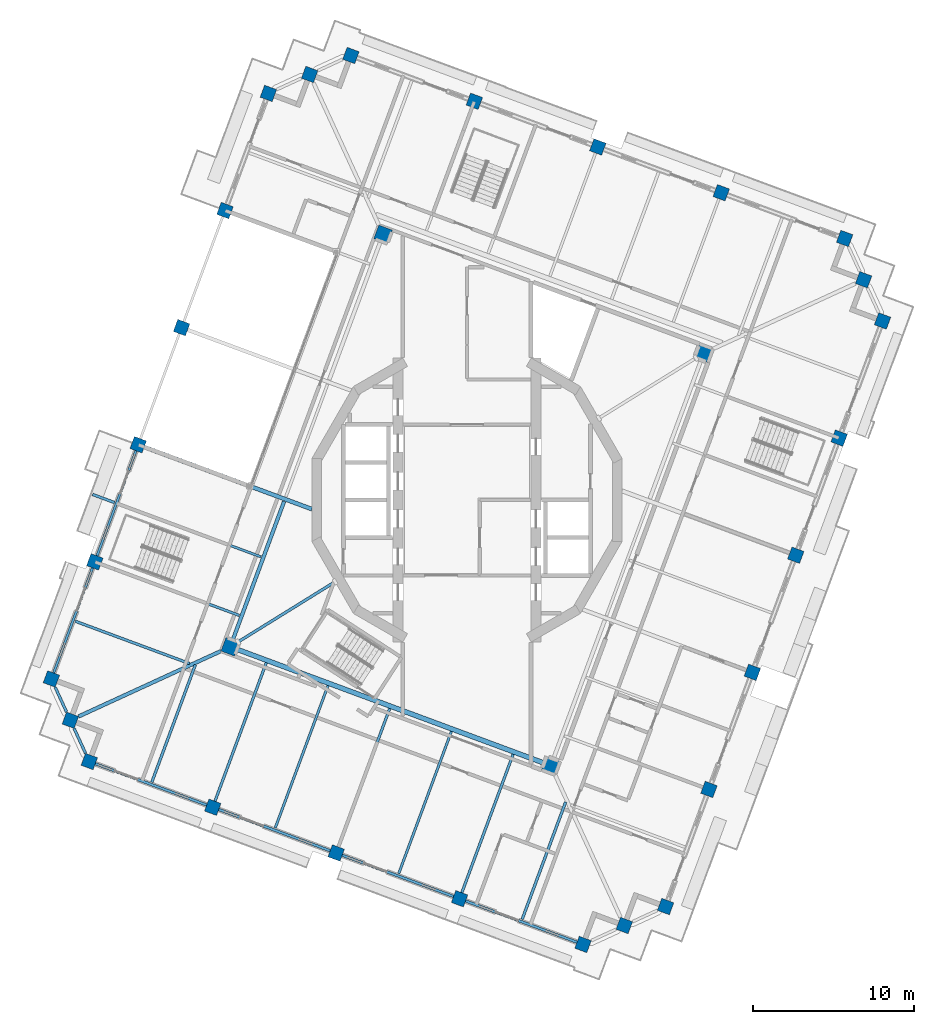
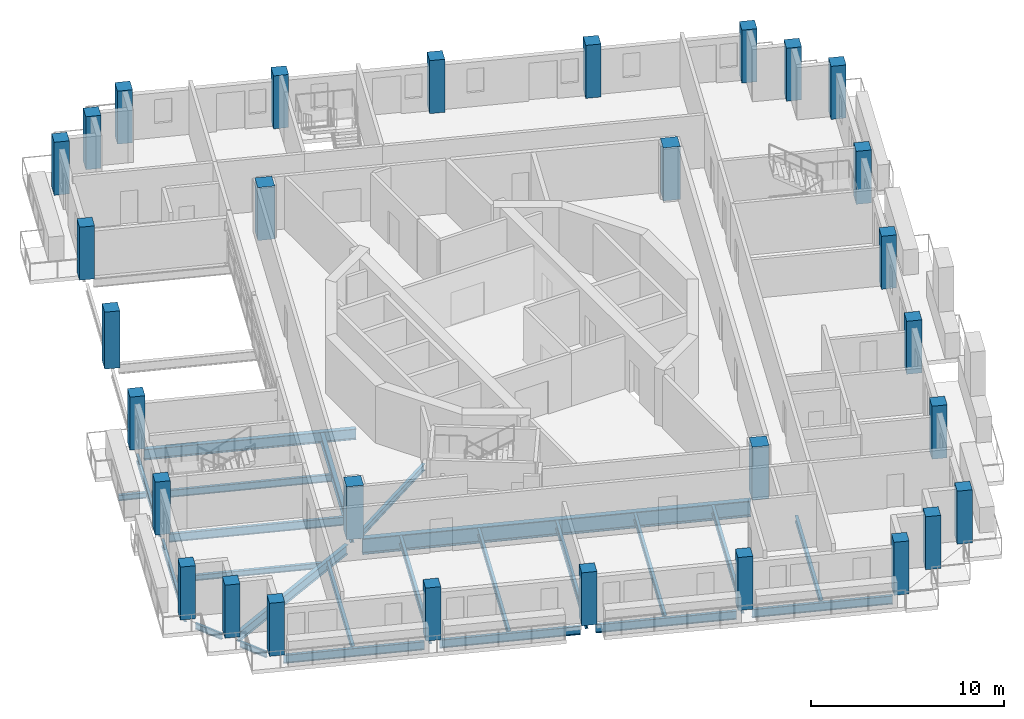
# One storey, part 1 of 20: 30 columns, 24 beams.
"""IFC4 building model written with IfcOpenShell, lengths in metres."""

from ifc_helpers import new_model, si_unit, direction, frame, origin, origin_2d, place, context, subcontext, project, spatial, rectangle, i_section, extrude, material, material_profile, profile_set, type_object, element, save


model = new_model("IFC4")

# Units and contexts
model_context = context("Model", 3, precision=1e-05, world=origin(), true_north=direction((0.0, 1.0)))
body_context = subcontext(model_context, "Body", "Model", "MODEL_VIEW")
ifc_project = project(units=[si_unit("LENGTHUNIT", "METRE"), si_unit("AREAUNIT", "SQUARE_METRE"), si_unit("VOLUMEUNIT", "CUBIC_METRE"), si_unit("PLANEANGLEUNIT", "RADIAN"), si_unit("MASSUNIT", "GRAM", prefix="KILO")], contexts=[model_context])

# Site, building, storey
site_placement = place(None, origin())
site = spatial("IfcSite", under=ifc_project, at=site_placement, CompositionType="ELEMENT")
building_placement = place(site_placement, origin())
building = spatial("IfcBuilding", under=site, at=building_placement, Name="Cantera Rosa Tower", CompositionType="ELEMENT")
storey_placement = place(building_placement, frame((0.0, 0.0, 309.699951171875)))
storey = spatial("IfcBuildingStorey", under=building, at=storey_placement, Name="L68", CompositionType="ELEMENT", Elevation=309.699951171875)

# Columns
ifc_material_1 = material(Name="Concrete C50/60", Category="concrete")
ifc_material_profile_1 = material_profile(ifc_material_1, rectangle(XDim=0.800048828125, YDim=0.800048828125, at=origin_2d()), Name="RC COLUMN RC800X800 C50/60")
ifc_profile_set_1 = profile_set([ifc_material_profile_1], Name="Concrete C50/60")
column_type_1 = type_object("IfcColumnType", Name="RC COLUMN RC800X800 C50/60", PredefinedType="COLUMN", material=ifc_profile_set_1)
for number, where, z_axis, x_axis, name in (
    (1, (23.526611328125, 16.2900390625, 0.0), (0.0, 0.0, 1.0), (0.347481234489, 0.937686936924, 0.0), "C-Z6-01 L68"),
    (2, (15.83740234375, 19.139404296875, 0.0), (0.0, 0.0, 1.0), (0.347481234489, 0.937686936924, 0.0), "C-Z6-02 L68"),
    (3, (8.1484375, 21.98876953125, 0.0), (0.0, 0.0, 1.0), (0.347481234489, 0.937686936924, 0.0), "C-Z6-03 L68"),
    (4, (0.45947265625, 24.838134765625, 0.0), (0.0, 0.0, 1.0), (0.347481234489, 0.937686936924, 0.0), "C-Z6-04 L68"),
    (5, (-7.229736328125, 27.6875, 0.0), (0.0, 0.0, 1.0), (0.347481234489, 0.937686936924, 0.0), "C-Z6-05 L68"),
    (6, (-9.800048828125, 26.507080078125, 0.0), (0.0, 0.0, 1.0), (0.347481234489, 0.937686936924, 0.0), "C-Z6-06 L68"),
    (7, (-12.370361328125, 25.32666015625, 0.0), (0.0, 0.0, 1.0), (0.347481234489, 0.937686936924, 0.0), "C-Z6-07 L68"),
    (8, (-15.07373046875, 18.031494140625, 0.0), (0.0, 0.0, 1.0), (0.347481234489, 0.937686936924, 0.0), "C-Z6-08 L68"),
):
    element("IfcColumn", number, at=place(storey_placement, frame(where, z_axis=z_axis, x_axis=x_axis)), inside=storey, type_object=column_type_1, Name=name, PredefinedType="COLUMN", context=body_context, shape_type="SweptSolid", body=[
        extrude(rectangle(XDim=0.800048828125, YDim=0.800048828125, at=origin_2d()), origin(), (0.0, 0.0, 1.0), 3.35009765625),
    ])
column_placement = place(storey_placement, frame((-17.777099609375, 10.736328125, -0.25), z_axis=(0.0, 0.0, 1.0), x_axis=(0.347481234489, 0.937686936924, 0.0)))
element("IfcColumn", 9, at=column_placement, inside=storey, type_object=column_type_1, Name="C-Z6-09 L68", PredefinedType="COLUMN", context=body_context, shape_type="SweptSolid", body=[
    extrude(rectangle(XDim=0.800048828125, YDim=0.800048828125, at=origin_2d()), origin(), (0.0, 0.0, 1.0), 3.60009765625),
])
for number, where, z_axis, x_axis, name in (
    (10, (-20.48046875, 3.44091796875, 0.0), (0.0, 0.0, 1.0), (0.347481234489, 0.937686936924, 0.0), "C-Z6-10 L68"),
    (11, (-23.183837890625, -3.854248046875, 0.0), (0.0, 0.0, 1.0), (0.347481234489, 0.937686936924, 0.0), "C-Z6-11 L68"),
    (12, (-25.88720703125, -11.1494140625, 0.0), (0.0, 0.0, 1.0), (0.347481234489, 0.937686936924, 0.0), "C-Z6-12 L68"),
    (13, (-24.70703125, -13.7197265625, 0.0), (0.0, 0.0, 1.0), (0.347481234489, 0.937686936924, 0.0), "C-Z6-13 L68"),
    (14, (-23.526611328125, -16.2900390625, 0.0), (0.0, 0.0, 1.0), (0.347481234489, 0.937686936924, 0.0), "C-Z6-14 L68"),
    (15, (-15.83740234375, -19.139404296875, 0.0), (0.0, 0.0, 1.0), (0.347481234489, 0.937686936924, 0.0), "C-Z6-15 L68"),
    (16, (-8.1484375, -21.98876953125, 0.0), (0.0, 0.0, 1.0), (0.347481234489, 0.937686936924, 0.0), "C-Z6-16 L68"),
    (17, (-0.45947265625, -24.838134765625, 0.0), (0.0, 0.0, 1.0), (0.347481234489, 0.937686936924, 0.0), "C-Z6-17 L68"),
    (18, (7.229736328125, -27.6875, 0.0), (0.0, 0.0, 1.0), (0.347481234489, 0.937686936924, 0.0), "C-Z6-18 L68"),
    (19, (9.800048828125, -26.507080078125, 0.0), (0.0, 0.0, 1.0), (0.347481234489, 0.937686936924, 0.0), "C-Z6-19 L68"),
    (20, (12.370361328125, -25.32666015625, 0.0), (0.0, 0.0, 1.0), (0.347481234489, 0.937686936924, 0.0), "C-Z6-20 L68"),
    (21, (15.07373046875, -18.031494140625, 0.0), (0.0, 0.0, 1.0), (0.347481234489, 0.937686936924, 0.0), "C-Z6-21 L68"),
    (22, (17.777099609375, -10.736328125, 0.0), (0.0, 0.0, 1.0), (0.347481234489, 0.937686936924, 0.0), "C-Z6-22 L68"),
    (23, (20.48046875, -3.44091796875, 0.0), (0.0, 0.0, 1.0), (0.347481234489, 0.937686936924, 0.0), "C-Z6-23 L68"),
    (24, (23.183837890625, 3.854248046875, 0.0), (0.0, 0.0, 1.0), (0.347481234489, 0.937686936924, 0.0), "C-Z6-24 L68"),
    (25, (25.88720703125, 11.1494140625, 0.0), (0.0, 0.0, 1.0), (0.347481234489, 0.937686936924, 0.0), "C-Z6-25 L68"),
    (26, (24.70703125, 13.7197265625, 0.0), (0.0, 0.0, 1.0), (0.347481234489, 0.937686936924, 0.0), "C-Z6-26 L68"),
):
    element("IfcColumn", number, at=place(storey_placement, frame(where, z_axis=z_axis, x_axis=x_axis)), inside=storey, type_object=column_type_1, Name=name, PredefinedType="COLUMN", context=body_context, shape_type="SweptSolid", body=[
        extrude(rectangle(XDim=0.800048828125, YDim=0.800048828125, at=origin_2d()), origin(), (0.0, 0.0, 1.0), 3.35009765625),
    ])
ifc_material_2 = material(Name="Concrete C50/60", Category="concrete")
ifc_material_profile_2 = material_profile(ifc_material_2, rectangle(XDim=0.89990234375, YDim=0.89990234375, at=origin_2d()), Name="RC RING COLUMN RC900X900 C50/60")
ifc_profile_set_2 = profile_set([ifc_material_profile_2], Name="Concrete C50/60")
column_type_2 = type_object("IfcColumnType", Name="RC RING COLUMN RC900X900 C50/60", PredefinedType="COLUMN", material=ifc_profile_set_2)
for number, where, z_axis, x_axis, name in (
    (27, (-5.225830078125, 16.546875, 0.0), (0.0, 0.0, 1.0), (0.347481234489, 0.937686936924, 0.0), "CI-Z6-1 L68"),
    (28, (-14.746826171875, -9.145751953125, 0.0), (0.0, 0.0, 1.0), (0.347481234489, 0.937686936924, 0.0), "CI-Z6-2 L68"),
    (29, (5.225830078125, -16.546875, 0.0), (0.0, 0.0, 1.0), (0.347481234489, 0.937686936924, 0.0), "CI-Z6-3 L68"),
    (30, (14.746826171875, 9.145751953125, 0.0), (0.0, 0.0, 1.0), (0.347481234489, 0.937686936924, 0.0), "CI-Z6-4 L68"),
):
    element("IfcColumn", number, at=place(storey_placement, frame(where, z_axis=z_axis, x_axis=x_axis)), inside=storey, type_object=column_type_2, Name=name, PredefinedType="COLUMN", context=body_context, shape_type="SweptSolid", body=[
        extrude(rectangle(XDim=0.89990234375, YDim=0.89990234375, at=origin_2d()), origin(), (0.0, 0.0, 1.0), 3.35009765625),
    ])

# Beams
ifc_material_3 = material(Name="Steel ASTM A992 (Fy 345 MPa)", Category="steel")
ifc_material_profile_3 = material_profile(ifc_material_3, i_section(OverallWidth=0.302001953125, OverallDepth=1.010009765625, WebThickness=0.02099609375, FlangeThickness=0.0400390625, FilletRadius=0.030029296875, at=origin_2d()), Name="W1000X350")
ifc_profile_set_3 = profile_set([ifc_material_profile_3], Name="Steel ASTM A992 (Fy 345 MPa)")
beam_type_1 = type_object("IfcBeamType", Name="STEEL BEAM W1000X350", PredefinedType="BEAM", material=ifc_profile_set_3)
beam_1_placement = place(storey_placement, frame((4.803955078125, -16.390625, -0.7548828125), z_axis=(-0.937687392162, 0.347480006017, 0.0), x_axis=(-0.347480006017, -0.937687392162, 0.0)))
element("IfcBeam", 31, at=beam_1_placement, inside=storey, type_object=beam_type_1, Name="RB-Z6-08 L68", PredefinedType="BEAM", context=body_context, shape_type="SweptSolid", body=[
    extrude(i_section(OverallWidth=0.302001953125, OverallDepth=1.010009765625, WebThickness=0.02099609375, FlangeThickness=0.0400390625, FilletRadius=0.030029296875, at=origin_2d()), origin(), (0.0, 0.0, 1.0), 20.400146484375),
])
ifc_material_4 = material(Name="Steel ASTM A992 (Fy 345 MPa)", Category="steel")
ifc_material_profile_4 = material_profile(ifc_material_4, i_section(OverallWidth=0.177978515625, OverallDepth=0.406005859375, WebThickness=0.0078125, FlangeThickness=0.0126953125, FilletRadius=0.01025390625, at=origin_2d()), Name="W410X60")
ifc_profile_set_4 = profile_set([ifc_material_profile_4], Name="Steel ASTM A992 (Fy 345 MPa)")
beam_type_2 = type_object("IfcBeamType", Name="STEEL BEAM W410X60", PredefinedType="BEAM", material=ifc_profile_set_4)
beam_2_placement = place(storey_placement, frame((-14.262451171875, -8.84521484375, -0.452880859375), z_axis=(0.849840939707, 0.527039255841, 0.0), x_axis=(-0.527039255841, 0.849840939707, 0.0)))
element("IfcBeam", 32, at=beam_2_placement, inside=storey, type_object=beam_type_2, Name="PG-Z6-01 L68", PredefinedType="BEAM", context=body_context, shape_type="SweptSolid", body=[
    extrude(i_section(OverallWidth=0.177978515625, OverallDepth=0.406005859375, WebThickness=0.0078125, FlangeThickness=0.0126953125, FilletRadius=0.01025390625, at=origin_2d()), origin(), (0.0, 0.0, 1.0), 7.118408203125),
])
ifc_material_5 = material(Name="Steel ASTM A992 (Fy 345 MPa)", Category="steel")
ifc_material_profile_5 = material_profile(ifc_material_5, i_section(OverallWidth=0.166015625, OverallDepth=0.528076171875, WebThickness=0.009765625, FlangeThickness=0.013671875, FilletRadius=0.0126953125, at=origin_2d()), Name="W530X74")
ifc_profile_set_5 = profile_set([ifc_material_profile_5], Name="Steel ASTM A992 (Fy 345 MPa)")
beam_type_3 = type_object("IfcBeamType", Name="STEEL BEAM W530X74", PredefinedType="BEAM", material=ifc_profile_set_5)
for number, where, z_axis, x_axis, name in (
    (33, (-22.808837890625, -3.9931640625, -0.513916015625), (0.937688566, -0.347476838353, 0.0), (0.347476838353, 0.937688566, 0.0), "G-Z6-07 L68"),
    (34, (-15.698486328125, -18.764404296875, -0.513916015625), (0.347476838353, 0.937688566, 0.0), (-0.937688566, 0.347476838353, 0.0), "G-Z6-12 L68"),
    (35, (-8.009521484375, -21.61376953125, -0.513916015625), (0.34750017104, 0.937679919337, 0.0), (-0.937679919337, 0.34750017104, 0.0), "G-Z6-13 L68"),
    (36, (-0.3203125, -24.463134765625, -0.513916015625), (0.347476838353, 0.937688566, 0.0), (-0.937688566, 0.347476838353, 0.0), "G-Z6-14 L68"),
):
    element("IfcBeam", number, at=place(storey_placement, frame(where, z_axis=z_axis, x_axis=x_axis)), inside=storey, type_object=beam_type_3, Name=name, PredefinedType="BEAM", context=body_context, shape_type="SweptSolid", body=[
        extrude(i_section(OverallWidth=0.166015625, OverallDepth=0.528076171875, WebThickness=0.009765625, FlangeThickness=0.013671875, FilletRadius=0.0126953125, at=origin_2d()), origin(), (0.0, 0.0, 1.0), 9.199951171875),
    ])
ifc_material_6 = material(Name="Steel ASTM A992 (Fy 345 MPa)", Category="steel")
ifc_material_profile_6 = material_profile(ifc_material_6, i_section(OverallWidth=0.22802734375, OverallDepth=0.60205078125, WebThickness=0.010498046875, FlangeThickness=0.014892578125, FilletRadius=0.0126953125, at=origin_2d()), Name="W610X101")
ifc_profile_set_6 = profile_set([ifc_material_profile_6], Name="Steel ASTM A992 (Fy 345 MPa)")
beam_type_4 = type_object("IfcBeamType", Name="STEEL BEAM W610X101", PredefinedType="BEAM", material=ifc_profile_set_6)
beam_3_placement = place(storey_placement, frame((-24.19287109375, -13.483642578125, -0.551025390625), z_axis=(0.908747889595, 0.417345508131, 0.0), x_axis=(-0.417345508131, 0.908747889595, 0.0)))
element("IfcBeam", 37, at=beam_3_placement, inside=storey, type_object=beam_type_4, Name="CB-Z6-02 L68", PredefinedType="BEAM", context=body_context, shape_type="SweptSolid", body=[
    extrude(i_section(OverallWidth=0.22802734375, OverallDepth=0.60205078125, WebThickness=0.010498046875, FlangeThickness=0.014892578125, FilletRadius=0.0126953125, at=origin_2d()), origin(), (0.0, 0.0, 1.0), 9.758056640625),
])
beam_4_placement = place(storey_placement, frame((-14.590576171875, -8.7236328125, -0.551025390625), z_axis=(0.347498244979, 0.937680633125, 0.0), x_axis=(-0.937680633125, 0.347498244979, 0.0)))
element("IfcBeam", 38, at=beam_4_placement, inside=storey, type_object=beam_type_4, Name="RB-Z6-01 L68", PredefinedType="BEAM", context=body_context, shape_type="SweptSolid", body=[
    extrude(i_section(OverallWidth=0.22802734375, OverallDepth=0.60205078125, WebThickness=0.010498046875, FlangeThickness=0.014892578125, FilletRadius=0.0126953125, at=origin_2d()), origin(), (0.0, 0.0, 1.0), 9.2099609375),
])
ifc_material_7 = material(Name="Steel ASTM A992 (Fy 345 MPa)", Category="steel")
ifc_material_profile_7 = material_profile(ifc_material_7, i_section(OverallWidth=0.25390625, OverallDepth=0.677978515625, WebThickness=0.01171875, FlangeThickness=0.016357421875, FilletRadius=0.01513671875, at=origin_2d()), Name="W690X125")
ifc_profile_set_7 = profile_set([ifc_material_profile_7], Name="Steel ASTM A992 (Fy 345 MPa)")
beam_type_5 = type_object("IfcBeamType", Name="STEEL BEAM W690X125", PredefinedType="BEAM", material=ifc_profile_set_7)
beam_5_placement = place(storey_placement, frame((-20.10546875, 3.302001953125, -0.5888671875), z_axis=(0.937687416585, -0.347479940109, 0.0), x_axis=(0.347479940109, 0.937687416585, 0.0)))
element("IfcBeam", 39, at=beam_5_placement, inside=storey, type_object=beam_type_5, Name="G-Z6-06 L68", PredefinedType="BEAM", context=body_context, shape_type="SweptSolid", body=[
    extrude(i_section(OverallWidth=0.25390625, OverallDepth=0.677978515625, WebThickness=0.01171875, FlangeThickness=0.016357421875, FilletRadius=0.01513671875, at=origin_2d()), origin(), (0.0, 0.0, 1.0), 11.140380859375),
])
ifc_material_8 = material(Name="Steel ASTM A992 (Fy 345 MPa)", Category="steel")
ifc_material_profile_8 = material_profile(ifc_material_8, i_section(OverallWidth=0.1708984375, OverallDepth=0.35595703125, WebThickness=0.00732421875, FlangeThickness=0.01171875, FilletRadius=0.010009765625, at=origin_2d()), Name="W360X51")
ifc_profile_set_8 = profile_set([ifc_material_profile_8], Name="Steel ASTM A992 (Fy 345 MPa)")
beam_type_6 = type_object("IfcBeamType", Name="STEEL JOIST W360X51", PredefinedType="JOIST", material=ifc_profile_set_8)
beam_6_placement = place(storey_placement, frame((-24.39501953125, -7.553955078125, -0.427978515625), z_axis=(0.937686277131, -0.347483014951, 0.0), x_axis=(0.347483014951, 0.937686277131, 0.0)))
element("IfcBeam", 40, at=beam_6_placement, inside=storey, type_object=beam_type_6, Name="B-Z6-09 L68", PredefinedType="JOIST", context=body_context, shape_type="SweptSolid", body=[
    extrude(i_section(OverallWidth=0.1708984375, OverallDepth=0.35595703125, WebThickness=0.00732421875, FlangeThickness=0.01171875, FilletRadius=0.010009765625, at=origin_2d()), origin(), (0.0, 0.0, 1.0), 7.590087890625),
])
for number, where, z_axis, x_axis, name in (
    (41, (-19.6298828125, -17.573974609375, -0.427978515625), (0.347491728417, 0.937683048093, 0.0), (-0.937683048093, 0.347491728417, 0.0), "B-Z6-15 L68"),
    (42, (3.437255859375, -26.1220703125, -0.427978515625), (0.347491728417, 0.937683048093, 0.0), (-0.937683048093, 0.347491728417, 0.0), "B-Z6-18 L68"),
):
    element("IfcBeam", number, at=place(storey_placement, frame(where, z_axis=z_axis, x_axis=x_axis)), inside=storey, type_object=beam_type_6, Name=name, PredefinedType="JOIST", context=body_context, shape_type="SweptSolid", body=[
        extrude(i_section(OverallWidth=0.1708984375, OverallDepth=0.35595703125, WebThickness=0.00732421875, FlangeThickness=0.01171875, FilletRadius=0.010009765625, at=origin_2d()), origin(), (0.0, 0.0, 1.0), 7.800048828125),
    ])
beam_7_placement = place(storey_placement, frame((-21.9541015625, -0.161376953125, -0.427978515625), z_axis=(-0.937702386535, 0.347439540475, 0.0), x_axis=(-0.347439540475, -0.937702386535, 0.0)))
element("IfcBeam", 43, at=beam_7_placement, inside=storey, type_object=beam_type_6, Name="BS-Z6-01 L68", PredefinedType="JOIST", context=body_context, shape_type="SweptSolid", body=[
    extrude(i_section(OverallWidth=0.1708984375, OverallDepth=0.35595703125, WebThickness=0.00732421875, FlangeThickness=0.01171875, FilletRadius=0.010009765625, at=origin_2d()), origin(), (0.0, 0.0, 1.0), 1.4609375),
])
ifc_material_9 = material(Name="Steel ASTM A992 (Fy 345 MPa)", Category="steel")
ifc_material_profile_9 = material_profile(ifc_material_9, i_section(OverallWidth=0.154052734375, OverallDepth=0.4599609375, WebThickness=0.009033203125, FlangeThickness=0.015380859375, FilletRadius=0.01025390625, at=origin_2d()), Name="W460X68")
ifc_profile_set_9 = profile_set([ifc_material_profile_9], Name="Steel ASTM A992 (Fy 345 MPa)")
beam_type_7 = type_object("IfcBeamType", Name="STEEL JOIST W460X68", PredefinedType="JOIST", material=ifc_profile_set_9)
beam_8_placement = place(storey_placement, frame((-21.691650390625, -0.2587890625, -0.47998046875), z_axis=(0.937689536508, -0.347474219364, 0.0), x_axis=(0.347474219364, 0.937689536508, 0.0)))
element("IfcBeam", 44, at=beam_8_placement, inside=storey, type_object=beam_type_7, Name="B-Z6-08 L68", PredefinedType="JOIST", context=body_context, shape_type="SweptSolid", body=[
    extrude(i_section(OverallWidth=0.154052734375, OverallDepth=0.4599609375, WebThickness=0.009033203125, FlangeThickness=0.015380859375, FilletRadius=0.01025390625, at=origin_2d()), origin(), (0.0, 0.0, 1.0), 9.4501953125),
])
for number, where, z_axis, x_axis, name in (
    (45, (-11.94091796875, -20.42333984375, -0.47998046875), (0.347482637031, 0.937686417179, 0.0), (-0.937686417179, 0.347482637031, 0.0), "B-Z6-16 L68"),
    (46, (-4.251708984375, -23.272705078125, -0.47998046875), (0.347482637031, 0.937686417179, 0.0), (-0.937686417179, 0.347482637031, 0.0), "B-Z6-17 L68"),
):
    element("IfcBeam", number, at=place(storey_placement, frame(where, z_axis=z_axis, x_axis=x_axis)), inside=storey, type_object=beam_type_7, Name=name, PredefinedType="JOIST", context=body_context, shape_type="SweptSolid", body=[
        extrude(i_section(OverallWidth=0.154052734375, OverallDepth=0.4599609375, WebThickness=0.009033203125, FlangeThickness=0.015380859375, FilletRadius=0.01025390625, at=origin_2d()), origin(), (0.0, 0.0, 1.0), 9.449951171875),
    ])
ifc_material_10 = material(Name="Steel ASTM A992 (Fy 345 MPa)", Category="steel")
ifc_material_profile_10 = material_profile(ifc_material_10, i_section(OverallWidth=0.1708984375, OverallDepth=0.35595703125, WebThickness=0.00732421875, FlangeThickness=0.01171875, FilletRadius=0.010009765625, at=origin_2d()), Name="W360X51")
ifc_profile_set_10 = profile_set([ifc_material_profile_10], Name="Steel ASTM A992 (Fy 345 MPa)")
beam_type_8 = type_object("IfcBeamType", Name="STEEL SPANDREL BEAM W360X51", PredefinedType="SPANDREL", material=ifc_profile_set_10)
for number, where, z_axis, x_axis, name in (
    (47, (-25.651123046875, -11.66357421875, -0.427978515625), (0.417268968709, -0.908783036677, 0.0), (0.908783036677, 0.417268968709, 0.0), "EB-Z6-12 L68"),
    (48, (-24.470947265625, -14.23388671875, -0.427978515625), (0.417387791404, -0.908728469669, 0.0), (0.908728469669, 0.417387791404, 0.0), "EB-Z6-13 L68"),
):
    element("IfcBeam", number, at=place(storey_placement, frame(where, z_axis=z_axis, x_axis=x_axis)), inside=storey, type_object=beam_type_8, Name=name, PredefinedType="SPANDREL", context=body_context, shape_type="SweptSolid", body=[
        extrude(i_section(OverallWidth=0.1708984375, OverallDepth=0.35595703125, WebThickness=0.00732421875, FlangeThickness=0.01171875, FilletRadius=0.010009765625, at=origin_2d()), origin(), (0.0, 0.0, 1.0), 1.69677734375),
    ])
ifc_material_11 = material(Name="Steel ASTM A992 (Fy 345 MPa)", Category="steel")
ifc_material_profile_11 = material_profile(ifc_material_11, i_section(OverallWidth=0.154052734375, OverallDepth=0.4599609375, WebThickness=0.009033203125, FlangeThickness=0.015380859375, FilletRadius=0.01025390625, at=origin_2d()), Name="W460X68")
ifc_profile_set_11 = profile_set([ifc_material_profile_11], Name="Steel ASTM A992 (Fy 345 MPa)")
beam_type_9 = type_object("IfcBeamType", Name="STEEL SPANDREL BEAM W460X68", PredefinedType="SPANDREL", material=ifc_profile_set_11)
beam_9_placement = place(storey_placement, frame((-20.61962890625, 3.06591796875, -0.47998046875), z_axis=(-0.347471562124, -0.937690521182, 0.0), x_axis=(0.937690521182, -0.347471562124, 0.0)))
element("IfcBeam", 49, at=beam_9_placement, inside=storey, type_object=beam_type_9, Name="EB-Z6-10 L68", PredefinedType="SPANDREL", context=body_context, shape_type="SweptSolid", body=[
    extrude(i_section(OverallWidth=0.154052734375, OverallDepth=0.4599609375, WebThickness=0.009033203125, FlangeThickness=0.015380859375, FilletRadius=0.01025390625, at=origin_2d()), origin(), (0.0, 0.0, 1.0), 6.979736328125),
])
beam_10_placement = place(storey_placement, frame((-23.322998046875, -4.229248046875, -0.47998046875), z_axis=(-0.347460165909, -0.937694744097, 0.0), x_axis=(0.937694744097, -0.347460165909, 0.0)))
element("IfcBeam", 50, at=beam_10_placement, inside=storey, type_object=beam_type_9, Name="EB-Z6-11 L68", PredefinedType="SPANDREL", context=body_context, shape_type="SweptSolid", body=[
    extrude(i_section(OverallWidth=0.154052734375, OverallDepth=0.4599609375, WebThickness=0.009033203125, FlangeThickness=0.015380859375, FilletRadius=0.01025390625, at=origin_2d()), origin(), (0.0, 0.0, 1.0), 6.97998046875),
])
ifc_material_12 = material(Name="Steel ASTM A992 (Fy 345 MPa)", Category="steel")
ifc_material_profile_12 = material_profile(ifc_material_12, i_section(OverallWidth=0.166015625, OverallDepth=0.528076171875, WebThickness=0.009765625, FlangeThickness=0.013671875, FilletRadius=0.0126953125, at=origin_2d()), Name="W530X74")
ifc_profile_set_12 = profile_set([ifc_material_profile_12], Name="Steel ASTM A992 (Fy 345 MPa)")
beam_type_10 = type_object("IfcBeamType", Name="STEEL SPANDREL BEAM W530X74", PredefinedType="SPANDREL", material=ifc_profile_set_12)
beam_11_placement = place(storey_placement, frame((-23.1513671875, -16.428955078125, -0.513916015625), z_axis=(0.937676706507, -0.347508840281, 0.0), x_axis=(0.347508840281, 0.937676706507, 0.0)))
element("IfcBeam", 51, at=beam_11_placement, inside=storey, type_object=beam_type_10, Name="EB-Z6-14 L68", PredefinedType="SPANDREL", context=body_context, shape_type="SweptSolid", body=[
    extrude(i_section(OverallWidth=0.166015625, OverallDepth=0.528076171875, WebThickness=0.009765625, FlangeThickness=0.013671875, FilletRadius=0.0126953125, at=origin_2d()), origin(), (0.0, 0.0, 1.0), 7.39990234375),
])
for number, where, z_axis, x_axis, name in (
    (52, (-15.46240234375, -19.2783203125, -0.513916015625), (0.937680690562, -0.34749808999, 0.0), (0.34749808999, 0.937680690562, 0.0), "EB-Z6-15 L68"),
    (53, (-7.7734375, -22.127685546875, -0.513916015625), (0.937680690562, -0.34749808999, 0.0), (0.34749808999, 0.937680690562, 0.0), "EB-Z6-16 L68"),
):
    element("IfcBeam", number, at=place(storey_placement, frame(where, z_axis=z_axis, x_axis=x_axis)), inside=storey, type_object=beam_type_10, Name=name, PredefinedType="SPANDREL", context=body_context, shape_type="SweptSolid", body=[
        extrude(i_section(OverallWidth=0.166015625, OverallDepth=0.528076171875, WebThickness=0.009765625, FlangeThickness=0.013671875, FilletRadius=0.0126953125, at=origin_2d()), origin(), (0.0, 0.0, 1.0), 7.400146484375),
    ])
beam_12_placement = place(storey_placement, frame((-0.084228515625, -24.97705078125, -0.513916015625), z_axis=(0.937687456783, -0.347479831633, 0.0), x_axis=(0.347479831633, 0.937687456783, 0.0)))
element("IfcBeam", 54, at=beam_12_placement, inside=storey, type_object=beam_type_10, Name="EB-Z6-17 L68", PredefinedType="SPANDREL", context=body_context, shape_type="SweptSolid", body=[
    extrude(i_section(OverallWidth=0.166015625, OverallDepth=0.528076171875, WebThickness=0.009765625, FlangeThickness=0.013671875, FilletRadius=0.0126953125, at=origin_2d()), origin(), (0.0, 0.0, 1.0), 7.39990234375),
])

save(model, "model.ifc")
